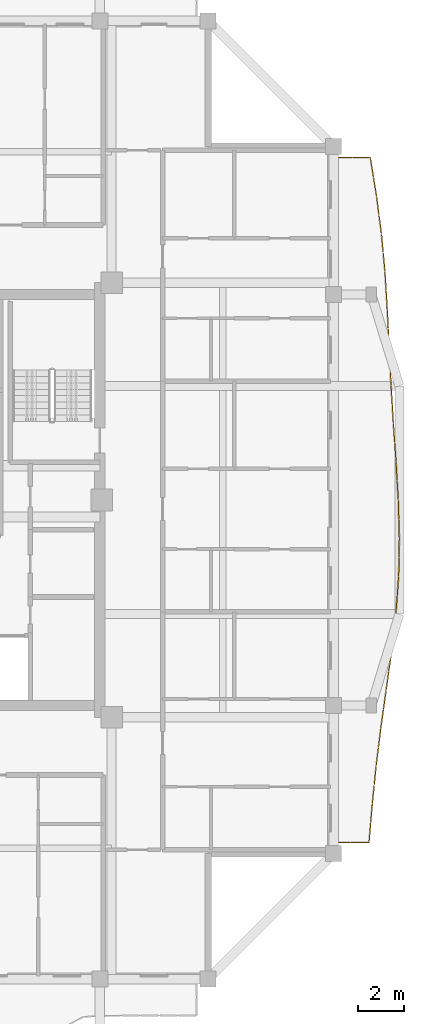
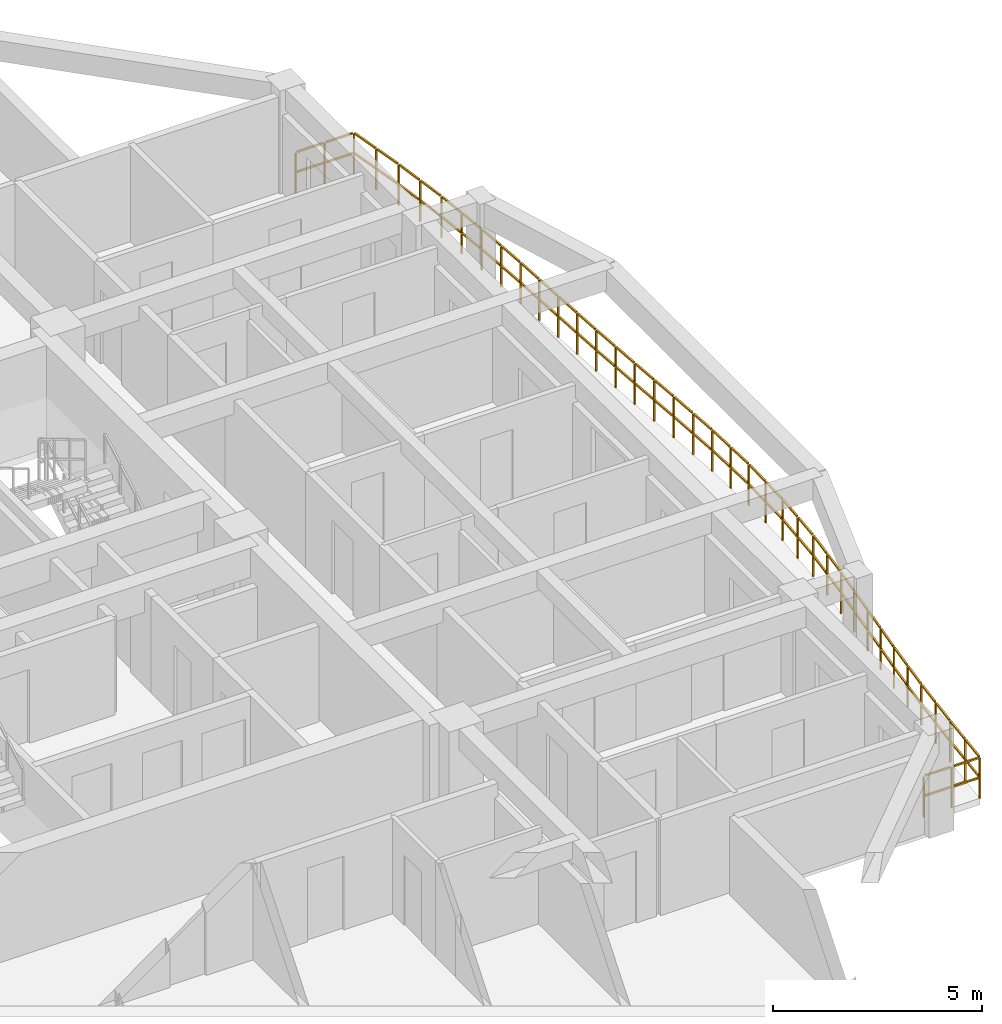
# One storey, part 13 of 14: 1 railing.
"""IFC4 building model written with IfcOpenShell, lengths in metres."""

from ifc_helpers import new_model, si_unit, direction, frame, origin, origin_2d, place, context, subcontext, project, spatial, rectangle, extrude, material, type_object, element, save


model = new_model("IFC4")

# Units and contexts
model_context = context("Model", 3, precision=1e-05, world=origin(), true_north=direction((0.0, 1.0)))
body_context = subcontext(model_context, "Body", "Model", "MODEL_VIEW")
ifc_project = project(units=[si_unit("LENGTHUNIT", "METRE"), si_unit("AREAUNIT", "SQUARE_METRE"), si_unit("VOLUMEUNIT", "CUBIC_METRE"), si_unit("PLANEANGLEUNIT", "RADIAN"), si_unit("MASSUNIT", "GRAM", prefix="KILO")], contexts=[model_context])

# Site, building, storey
site_placement = place(None, origin())
site = spatial("IfcSite", under=ifc_project, at=site_placement, CompositionType="ELEMENT")
building_placement = place(site_placement, origin())
building = spatial("IfcBuilding", under=site, at=building_placement, Name="Saelheon Loggia Tower", CompositionType="ELEMENT")
storey_placement = place(building_placement, frame((0.0, 0.0, 233.10009765625)))
storey = spatial("IfcBuildingStorey", under=building, at=storey_placement, Name="L72", CompositionType="ELEMENT", Elevation=233.10009765625)

# Railing
ifc_material = material(Name="Architectural Precast Concrete and Laminated Glass Guard", Category="concrete")
railing_type = type_object("IfcRailingType", Name="Guard_Loggia_RL_LOG", PredefinedType="BALUSTRADE", material=ifc_material)
railing_placement = place(storey_placement, frame((54.75, 12.0, 0.0)))
element("IfcRailing", 1, at=railing_placement, inside=storey, type_object=railing_type, Name="L72 East Loggia Balustrade", PredefinedType="BALUSTRADE", context=body_context, shape_type="SweptSolid", body=[
    extrude(rectangle(XDim=0.048095703125, YDim=0.048095703125, at=origin_2d()), frame((0.033203125, 0.0, 1.19580078125), z_axis=(1.0, 0.0, 0.0), x_axis=(0.0, 1.0, 0.0)), (0.0, 0.0, 1.0), 0.70849609375),
    extrude(rectangle(XDim=0.048095703125, YDim=0.048095703125, at=origin_2d()), frame((0.033203125, 0.0, 0.60986328125), z_axis=(1.0, 0.0, 0.0), x_axis=(0.0, 1.0, 0.0)), (0.0, 0.0, 1.0), 0.70849609375),
    extrude(rectangle(XDim=0.048095703125, YDim=0.048095703125, at=origin_2d()), frame((0.808349609375, 0.0, 1.19580078125), z_axis=(1.0, 0.0, 0.0), x_axis=(0.0, 1.0, 0.0)), (0.0, 0.0, 1.0), 0.70849609375),
    extrude(rectangle(XDim=0.048095703125, YDim=0.048095703125, at=origin_2d()), frame((0.808349609375, 0.0, 0.60986328125), z_axis=(1.0, 0.0, 0.0), x_axis=(0.0, 1.0, 0.0)), (0.0, 0.0, 1.0), 0.70849609375),
    extrude(rectangle(XDim=0.048095703125, YDim=0.048095703125, at=origin_2d()), frame((1.552978515625, 0.033203125, 1.19580078125), z_axis=(0.085086537051, 0.996373565091, 0.0), x_axis=(-0.996373565091, 0.085086537051, 0.0)), (0.0, 0.0, 1.0), 0.77001953125),
    extrude(rectangle(XDim=0.048095703125, YDim=0.048095703125, at=origin_2d()), frame((1.552978515625, 0.033203125, 0.60986328125), z_axis=(0.085086537051, 0.996373565091, 0.0), x_axis=(-0.996373565091, 0.085086537051, 0.0)), (0.0, 0.0, 1.0), 0.77001953125),
    extrude(rectangle(XDim=0.048095703125, YDim=0.048095703125, at=origin_2d()), frame((1.6240234375, 0.866455078125, 1.19580078125), z_axis=(0.085086537051, 0.996373565091, 0.0), x_axis=(-0.996373565091, 0.085086537051, 0.0)), (0.0, 0.0, 1.0), 0.77001953125),
    extrude(rectangle(XDim=0.048095703125, YDim=0.048095703125, at=origin_2d()), frame((1.6240234375, 0.866455078125, 0.60986328125), z_axis=(0.085086537051, 0.996373565091, 0.0), x_axis=(-0.996373565091, 0.085086537051, 0.0)), (0.0, 0.0, 1.0), 0.77001953125),
    extrude(rectangle(XDim=0.048095703125, YDim=0.048095703125, at=origin_2d()), frame((1.69580078125, 1.69970703125, 1.19580078125), z_axis=(0.100427291476, 0.994944400018, 0.0), x_axis=(-0.994944400018, 0.100427291476, 0.0)), (0.0, 0.0, 1.0), 0.77099609375),
    extrude(rectangle(XDim=0.048095703125, YDim=0.048095703125, at=origin_2d()), frame((1.69580078125, 1.69970703125, 0.60986328125), z_axis=(0.100427291476, 0.994944400018, 0.0), x_axis=(-0.994944400018, 0.100427291476, 0.0)), (0.0, 0.0, 1.0), 0.77099609375),
    extrude(rectangle(XDim=0.048095703125, YDim=0.048095703125, at=origin_2d()), frame((1.77978515625, 2.532958984375, 1.19580078125), z_axis=(0.100427291476, 0.994944400018, 0.0), x_axis=(-0.994944400018, 0.100427291476, 0.0)), (0.0, 0.0, 1.0), 0.77099609375),
    extrude(rectangle(XDim=0.048095703125, YDim=0.048095703125, at=origin_2d()), frame((1.77978515625, 2.532958984375, 0.60986328125), z_axis=(0.100427291476, 0.994944400018, 0.0), x_axis=(-0.994944400018, 0.100427291476, 0.0)), (0.0, 0.0, 1.0), 0.77099609375),
    extrude(rectangle(XDim=0.048095703125, YDim=0.048095703125, at=origin_2d()), frame((1.86474609375, 3.3662109375, 1.19580078125), z_axis=(0.122692739227, 0.992444704626, 0.0), x_axis=(-0.992444704626, 0.122692739227, 0.0)), (0.0, 0.0, 1.0), 0.773193359375),
    extrude(rectangle(XDim=0.048095703125, YDim=0.048095703125, at=origin_2d()), frame((1.86474609375, 3.3662109375, 0.60986328125), z_axis=(0.122692739227, 0.992444704626, 0.0), x_axis=(-0.992444704626, 0.122692739227, 0.0)), (0.0, 0.0, 1.0), 0.773193359375),
    extrude(rectangle(XDim=0.048095703125, YDim=0.048095703125, at=origin_2d()), frame((1.9677734375, 4.19970703125, 1.19580078125), z_axis=(0.122692739227, 0.992444704626, 0.0), x_axis=(-0.992444704626, 0.122692739227, 0.0)), (0.0, 0.0, 1.0), 0.773193359375),
    extrude(rectangle(XDim=0.048095703125, YDim=0.048095703125, at=origin_2d()), frame((1.9677734375, 4.19970703125, 0.60986328125), z_axis=(0.122692739227, 0.992444704626, 0.0), x_axis=(-0.992444704626, 0.122692739227, 0.0)), (0.0, 0.0, 1.0), 0.773193359375),
    extrude(rectangle(XDim=0.048095703125, YDim=0.048095703125, at=origin_2d()), frame((2.0712890625, 5.032958984375, 1.19580078125), z_axis=(0.138963671511, 0.990297479548, 0.0), x_axis=(-0.990297479548, 0.138963671511, 0.0)), (0.0, 0.0, 1.0), 0.775146484375),
    extrude(rectangle(XDim=0.048095703125, YDim=0.048095703125, at=origin_2d()), frame((2.0712890625, 5.032958984375, 0.60986328125), z_axis=(0.138963671511, 0.990297479548, 0.0), x_axis=(-0.990297479548, 0.138963671511, 0.0)), (0.0, 0.0, 1.0), 0.775146484375),
    extrude(rectangle(XDim=0.048095703125, YDim=0.048095703125, at=origin_2d()), frame((2.188232421875, 5.8662109375, 1.19580078125), z_axis=(0.138963671511, 0.990297479548, 0.0), x_axis=(-0.990297479548, 0.138963671511, 0.0)), (0.0, 0.0, 1.0), 0.775146484375),
    extrude(rectangle(XDim=0.048095703125, YDim=0.048095703125, at=origin_2d()), frame((2.188232421875, 5.8662109375, 0.60986328125), z_axis=(0.138963671511, 0.990297479548, 0.0), x_axis=(-0.990297479548, 0.138963671511, 0.0)), (0.0, 0.0, 1.0), 0.775146484375),
    extrude(rectangle(XDim=0.048095703125, YDim=0.048095703125, at=origin_2d()), frame((2.30517578125, 6.69970703125, 1.19580078125), z_axis=(0.13827215641, 0.99039427036, 0.0), x_axis=(-0.99039427036, 0.13827215641, 0.0)), (0.0, 0.0, 1.0), 0.77490234375),
    extrude(rectangle(XDim=0.048095703125, YDim=0.048095703125, at=origin_2d()), frame((2.30517578125, 6.69970703125, 0.60986328125), z_axis=(0.13827215641, 0.99039427036, 0.0), x_axis=(-0.99039427036, 0.13827215641, 0.0)), (0.0, 0.0, 1.0), 0.77490234375),
    extrude(rectangle(XDim=0.048095703125, YDim=0.048095703125, at=origin_2d()), frame((2.42138671875, 7.532958984375, 1.19580078125), z_axis=(0.13827215641, 0.99039427036, 0.0), x_axis=(-0.99039427036, 0.13827215641, 0.0)), (0.0, 0.0, 1.0), 0.77490234375),
    extrude(rectangle(XDim=0.048095703125, YDim=0.048095703125, at=origin_2d()), frame((2.42138671875, 7.532958984375, 0.60986328125), z_axis=(0.13827215641, 0.99039427036, 0.0), x_axis=(-0.99039427036, 0.13827215641, 0.0)), (0.0, 0.0, 1.0), 0.77490234375),
    extrude(rectangle(XDim=0.048095703125, YDim=0.048095703125, at=origin_2d()), frame((2.537109375, 8.3662109375, 1.19580078125), z_axis=(0.114662769249, 0.993404474194, 0.0), x_axis=(-0.993404474194, 0.114662769249, 0.0)), (0.0, 0.0, 1.0), 0.7724609375),
    extrude(rectangle(XDim=0.048095703125, YDim=0.048095703125, at=origin_2d()), frame((2.537109375, 8.3662109375, 0.60986328125), z_axis=(0.114662769249, 0.993404474194, 0.0), x_axis=(-0.993404474194, 0.114662769249, 0.0)), (0.0, 0.0, 1.0), 0.7724609375),
    extrude(rectangle(XDim=0.048095703125, YDim=0.048095703125, at=origin_2d()), frame((2.63330078125, 9.19970703125, 1.19580078125), z_axis=(0.114662769249, 0.993404474194, 0.0), x_axis=(-0.993404474194, 0.114662769249, 0.0)), (0.0, 0.0, 1.0), 0.7724609375),
    extrude(rectangle(XDim=0.048095703125, YDim=0.048095703125, at=origin_2d()), frame((2.63330078125, 9.19970703125, 0.60986328125), z_axis=(0.114662769249, 0.993404474194, 0.0), x_axis=(-0.993404474194, 0.114662769249, 0.0)), (0.0, 0.0, 1.0), 0.7724609375),
    extrude(rectangle(XDim=0.048095703125, YDim=0.048095703125, at=origin_2d()), frame((2.72802734375, 10.033203125, 1.19580078125), z_axis=(0.071153601195, 0.997465370345, 0.0), x_axis=(-0.997465370345, 0.071153601195, 0.0)), (0.0, 0.0, 1.0), 0.76904296875),
    extrude(rectangle(XDim=0.048095703125, YDim=0.048095703125, at=origin_2d()), frame((2.72802734375, 10.033203125, 0.60986328125), z_axis=(0.071153601195, 0.997465370345, 0.0), x_axis=(-0.997465370345, 0.071153601195, 0.0)), (0.0, 0.0, 1.0), 0.76904296875),
    extrude(rectangle(XDim=0.048095703125, YDim=0.048095703125, at=origin_2d()), frame((2.787353515625, 10.866455078125, 1.19580078125), z_axis=(0.071153601195, 0.997465370345, 0.0), x_axis=(-0.997465370345, 0.071153601195, 0.0)), (0.0, 0.0, 1.0), 0.76904296875),
    extrude(rectangle(XDim=0.048095703125, YDim=0.048095703125, at=origin_2d()), frame((2.787353515625, 10.866455078125, 0.60986328125), z_axis=(0.071153601195, 0.997465370345, 0.0), x_axis=(-0.997465370345, 0.071153601195, 0.0)), (0.0, 0.0, 1.0), 0.76904296875),
    extrude(rectangle(XDim=0.048095703125, YDim=0.048095703125, at=origin_2d()), frame((2.84521484375, 11.699951171875, 1.19580078125), z_axis=(0.018894956079, 0.999821474382, 0.0), x_axis=(-0.999821474382, 0.018894956079, 0.0)), (0.0, 0.0, 1.0), 0.766845703125),
    extrude(rectangle(XDim=0.048095703125, YDim=0.048095703125, at=origin_2d()), frame((2.84521484375, 11.699951171875, 0.60986328125), z_axis=(0.018894956079, 0.999821474382, 0.0), x_axis=(-0.999821474382, 0.018894956079, 0.0)), (0.0, 0.0, 1.0), 0.766845703125),
    extrude(rectangle(XDim=0.048095703125, YDim=0.048095703125, at=origin_2d()), frame((2.86083984375, 12.533203125, 1.19580078125), z_axis=(0.018894956079, 0.999821474382, 0.0), x_axis=(-0.999821474382, 0.018894956079, 0.0)), (0.0, 0.0, 1.0), 0.766845703125),
    extrude(rectangle(XDim=0.048095703125, YDim=0.048095703125, at=origin_2d()), frame((2.86083984375, 12.533203125, 0.60986328125), z_axis=(0.018894956079, 0.999821474382, 0.0), x_axis=(-0.999821474382, 0.018894956079, 0.0)), (0.0, 0.0, 1.0), 0.766845703125),
    extrude(rectangle(XDim=0.048095703125, YDim=0.048095703125, at=origin_2d()), frame((2.875, 13.366455078125, 1.19580078125), z_axis=(-0.028405114941, 0.999596493314, 0.0), x_axis=(-0.999596493314, -0.028405114941, 0.0)), (0.0, 0.0, 1.0), 0.767333984375),
    extrude(rectangle(XDim=0.048095703125, YDim=0.048095703125, at=origin_2d()), frame((2.875, 13.366455078125, 0.60986328125), z_axis=(-0.028405114941, 0.999596493314, 0.0), x_axis=(-0.999596493314, -0.028405114941, 0.0)), (0.0, 0.0, 1.0), 0.767333984375),
    extrude(rectangle(XDim=0.048095703125, YDim=0.048095703125, at=origin_2d()), frame((2.851318359375, 14.199951171875, 1.19580078125), z_axis=(-0.028405114941, 0.999596493314, 0.0), x_axis=(-0.999596493314, -0.028405114941, 0.0)), (0.0, 0.0, 1.0), 0.767333984375),
    extrude(rectangle(XDim=0.048095703125, YDim=0.048095703125, at=origin_2d()), frame((2.851318359375, 14.199951171875, 0.60986328125), z_axis=(-0.028405114941, 0.999596493314, 0.0), x_axis=(-0.999596493314, -0.028405114941, 0.0)), (0.0, 0.0, 1.0), 0.767333984375),
    extrude(rectangle(XDim=0.048095703125, YDim=0.048095703125, at=origin_2d()), frame((2.82666015625, 15.033203125, 1.19580078125), z_axis=(-0.058490579202, 0.998287960533, 0.0), x_axis=(-0.998287960533, -0.058490579202, 0.0)), (0.0, 0.0, 1.0), 0.768310546875),
    extrude(rectangle(XDim=0.048095703125, YDim=0.048095703125, at=origin_2d()), frame((2.82666015625, 15.033203125, 0.60986328125), z_axis=(-0.058490579202, 0.998287960533, 0.0), x_axis=(-0.998287960533, -0.058490579202, 0.0)), (0.0, 0.0, 1.0), 0.768310546875),
    extrude(rectangle(XDim=0.048095703125, YDim=0.048095703125, at=origin_2d()), frame((2.77783203125, 15.866455078125, 1.19580078125), z_axis=(-0.058490579202, 0.998287960533, 0.0), x_axis=(-0.998287960533, -0.058490579202, 0.0)), (0.0, 0.0, 1.0), 0.768310546875),
    extrude(rectangle(XDim=0.048095703125, YDim=0.048095703125, at=origin_2d()), frame((2.77783203125, 15.866455078125, 0.60986328125), z_axis=(-0.058490579202, 0.998287960533, 0.0), x_axis=(-0.998287960533, -0.058490579202, 0.0)), (0.0, 0.0, 1.0), 0.768310546875),
    extrude(rectangle(XDim=0.048095703125, YDim=0.048095703125, at=origin_2d()), frame((2.728759765625, 16.699951171875, 1.19580078125), z_axis=(-0.067818885019, 0.997697649007, 0.0), x_axis=(-0.997697649007, -0.067818885019, 0.0)), (0.0, 0.0, 1.0), 0.768798828125),
    extrude(rectangle(XDim=0.048095703125, YDim=0.048095703125, at=origin_2d()), frame((2.728759765625, 16.699951171875, 0.60986328125), z_axis=(-0.067818885019, 0.997697649007, 0.0), x_axis=(-0.997697649007, -0.067818885019, 0.0)), (0.0, 0.0, 1.0), 0.768798828125),
    extrude(rectangle(XDim=0.048095703125, YDim=0.048095703125, at=origin_2d()), frame((2.672119140625, 17.533203125, 1.19580078125), z_axis=(-0.067818885019, 0.997697649007, 0.0), x_axis=(-0.997697649007, -0.067818885019, 0.0)), (0.0, 0.0, 1.0), 0.768798828125),
    extrude(rectangle(XDim=0.048095703125, YDim=0.048095703125, at=origin_2d()), frame((2.672119140625, 17.533203125, 0.60986328125), z_axis=(-0.067818885019, 0.997697649007, 0.0), x_axis=(-0.997697649007, -0.067818885019, 0.0)), (0.0, 0.0, 1.0), 0.768798828125),
    extrude(rectangle(XDim=0.048095703125, YDim=0.048095703125, at=origin_2d()), frame((2.61572265625, 18.366455078125, 1.19580078125), z_axis=(-0.061549990452, 0.998104001933, 0.0), x_axis=(-0.998104001933, -0.061549990452, 0.0)), (0.0, 0.0, 1.0), 0.7685546875),
    extrude(rectangle(XDim=0.048095703125, YDim=0.048095703125, at=origin_2d()), frame((2.61572265625, 18.366455078125, 0.60986328125), z_axis=(-0.061549990452, 0.998104001933, 0.0), x_axis=(-0.998104001933, -0.061549990452, 0.0)), (0.0, 0.0, 1.0), 0.7685546875),
    extrude(rectangle(XDim=0.048095703125, YDim=0.048095703125, at=origin_2d()), frame((2.564208984375, 19.19970703125, 1.19580078125), z_axis=(-0.061549990452, 0.998104001933, 0.0), x_axis=(-0.998104001933, -0.061549990452, 0.0)), (0.0, 0.0, 1.0), 0.7685546875),
    extrude(rectangle(XDim=0.048095703125, YDim=0.048095703125, at=origin_2d()), frame((2.564208984375, 19.19970703125, 0.60986328125), z_axis=(-0.061549990452, 0.998104001933, 0.0), x_axis=(-0.998104001933, -0.061549990452, 0.0)), (0.0, 0.0, 1.0), 0.7685546875),
    extrude(rectangle(XDim=0.048095703125, YDim=0.048095703125, at=origin_2d()), frame((2.51318359375, 20.033203125, 1.19580078125), z_axis=(-0.050616155059, 0.998718180893, 0.0), x_axis=(-0.998718180893, -0.050616155059, 0.0)), (0.0, 0.0, 1.0), 0.76806640625),
    extrude(rectangle(XDim=0.048095703125, YDim=0.048095703125, at=origin_2d()), frame((2.51318359375, 20.033203125, 0.60986328125), z_axis=(-0.050616155059, 0.998718180893, 0.0), x_axis=(-0.998718180893, -0.050616155059, 0.0)), (0.0, 0.0, 1.0), 0.76806640625),
    extrude(rectangle(XDim=0.048095703125, YDim=0.048095703125, at=origin_2d()), frame((2.470947265625, 20.866455078125, 1.19580078125), z_axis=(-0.050616155059, 0.998718180893, 0.0), x_axis=(-0.998718180893, -0.050616155059, 0.0)), (0.0, 0.0, 1.0), 0.76806640625),
    extrude(rectangle(XDim=0.048095703125, YDim=0.048095703125, at=origin_2d()), frame((2.470947265625, 20.866455078125, 0.60986328125), z_axis=(-0.050616155059, 0.998718180893, 0.0), x_axis=(-0.998718180893, -0.050616155059, 0.0)), (0.0, 0.0, 1.0), 0.76806640625),
    extrude(rectangle(XDim=0.048095703125, YDim=0.048095703125, at=origin_2d()), frame((2.4287109375, 21.699951171875, 1.19580078125), z_axis=(-0.047996189008, 0.998847518814, 0.0), x_axis=(-0.998847518814, -0.047996189008, 0.0)), (0.0, 0.0, 1.0), 0.767822265625),
    extrude(rectangle(XDim=0.048095703125, YDim=0.048095703125, at=origin_2d()), frame((2.4287109375, 21.699951171875, 0.60986328125), z_axis=(-0.047996189008, 0.998847518814, 0.0), x_axis=(-0.998847518814, -0.047996189008, 0.0)), (0.0, 0.0, 1.0), 0.767822265625),
    extrude(rectangle(XDim=0.048095703125, YDim=0.048095703125, at=origin_2d()), frame((2.388671875, 22.533203125, 1.19580078125), z_axis=(-0.047996189008, 0.998847518814, 0.0), x_axis=(-0.998847518814, -0.047996189008, 0.0)), (0.0, 0.0, 1.0), 0.767822265625),
    extrude(rectangle(XDim=0.048095703125, YDim=0.048095703125, at=origin_2d()), frame((2.388671875, 22.533203125, 0.60986328125), z_axis=(-0.047996189008, 0.998847518814, 0.0), x_axis=(-0.998847518814, -0.047996189008, 0.0)), (0.0, 0.0, 1.0), 0.767822265625),
    extrude(rectangle(XDim=0.048095703125, YDim=0.048095703125, at=origin_2d()), frame((2.348388671875, 23.366455078125, 1.19580078125), z_axis=(-0.061841273856, 0.99808599672, 0.0), x_axis=(-0.99808599672, -0.061841273856, 0.0)), (0.0, 0.0, 1.0), 0.7685546875),
    extrude(rectangle(XDim=0.048095703125, YDim=0.048095703125, at=origin_2d()), frame((2.348388671875, 23.366455078125, 0.60986328125), z_axis=(-0.061841273856, 0.99808599672, 0.0), x_axis=(-0.99808599672, -0.061841273856, 0.0)), (0.0, 0.0, 1.0), 0.7685546875),
    extrude(rectangle(XDim=0.048095703125, YDim=0.048095703125, at=origin_2d()), frame((2.296630859375, 24.19970703125, 1.19580078125), z_axis=(-0.061841273856, 0.99808599672, 0.0), x_axis=(-0.99808599672, -0.061841273856, 0.0)), (0.0, 0.0, 1.0), 0.7685546875),
    extrude(rectangle(XDim=0.048095703125, YDim=0.048095703125, at=origin_2d()), frame((2.296630859375, 24.19970703125, 0.60986328125), z_axis=(-0.061841273856, 0.99808599672, 0.0), x_axis=(-0.99808599672, -0.061841273856, 0.0)), (0.0, 0.0, 1.0), 0.7685546875),
    extrude(rectangle(XDim=0.048095703125, YDim=0.048095703125, at=origin_2d()), frame((2.244140625, 25.033203125, 1.19580078125), z_axis=(-0.091745595338, 0.995782479127, 0.0), x_axis=(-0.995782479127, -0.091745595338, 0.0)), (0.0, 0.0, 1.0), 0.7705078125),
    extrude(rectangle(XDim=0.048095703125, YDim=0.048095703125, at=origin_2d()), frame((2.244140625, 25.033203125, 0.60986328125), z_axis=(-0.091745595338, 0.995782479127, 0.0), x_axis=(-0.995782479127, -0.091745595338, 0.0)), (0.0, 0.0, 1.0), 0.7705078125),
    extrude(rectangle(XDim=0.048095703125, YDim=0.048095703125, at=origin_2d()), frame((2.167236328125, 25.866455078125, 1.19580078125), z_axis=(-0.091745595338, 0.995782479127, 0.0), x_axis=(-0.995782479127, -0.091745595338, 0.0)), (0.0, 0.0, 1.0), 0.7705078125),
    extrude(rectangle(XDim=0.048095703125, YDim=0.048095703125, at=origin_2d()), frame((2.167236328125, 25.866455078125, 0.60986328125), z_axis=(-0.091745595338, 0.995782479127, 0.0), x_axis=(-0.995782479127, -0.091745595338, 0.0)), (0.0, 0.0, 1.0), 0.7705078125),
    extrude(rectangle(XDim=0.048095703125, YDim=0.048095703125, at=origin_2d()), frame((2.089111328125, 26.69970703125, 1.19580078125), z_axis=(-0.129003803074, 0.991644098854, 0.0), x_axis=(-0.991644098854, -0.129003803074, 0.0)), (0.0, 0.0, 1.0), 0.77392578125),
    extrude(rectangle(XDim=0.048095703125, YDim=0.048095703125, at=origin_2d()), frame((2.089111328125, 26.69970703125, 0.60986328125), z_axis=(-0.129003803074, 0.991644098854, 0.0), x_axis=(-0.991644098854, -0.129003803074, 0.0)), (0.0, 0.0, 1.0), 0.77392578125),
    extrude(rectangle(XDim=0.048095703125, YDim=0.048095703125, at=origin_2d()), frame((1.980712890625, 27.532958984375, 1.19580078125), z_axis=(-0.129003803074, 0.991644098854, 0.0), x_axis=(-0.991644098854, -0.129003803074, 0.0)), (0.0, 0.0, 1.0), 0.77392578125),
    extrude(rectangle(XDim=0.048095703125, YDim=0.048095703125, at=origin_2d()), frame((1.980712890625, 27.532958984375, 0.60986328125), z_axis=(-0.129003803074, 0.991644098854, 0.0), x_axis=(-0.991644098854, -0.129003803074, 0.0)), (0.0, 0.0, 1.0), 0.77392578125),
    extrude(rectangle(XDim=0.048095703125, YDim=0.048095703125, at=origin_2d()), frame((1.871337890625, 28.365966796875, 1.19580078125), z_axis=(-0.160482344979, 0.987038710968, 0.0), x_axis=(-0.987038710968, -0.160482344979, 0.0)), (0.0, 0.0, 1.0), 0.77783203125),
    extrude(rectangle(XDim=0.048095703125, YDim=0.048095703125, at=origin_2d()), frame((1.871337890625, 28.365966796875, 0.60986328125), z_axis=(-0.160482344979, 0.987038710968, 0.0), x_axis=(-0.987038710968, -0.160482344979, 0.0)), (0.0, 0.0, 1.0), 0.77783203125),
    extrude(rectangle(XDim=0.048095703125, YDim=0.048095703125, at=origin_2d()), frame((1.73583984375, 29.199462890625, 1.19580078125), z_axis=(-0.160482344979, 0.987038710968, 0.0), x_axis=(-0.987038710968, -0.160482344979, 0.0)), (0.0, 0.0, 1.0), 0.77783203125),
    extrude(rectangle(XDim=0.048095703125, YDim=0.048095703125, at=origin_2d()), frame((1.73583984375, 29.199462890625, 0.60986328125), z_axis=(-0.160482344979, 0.987038710968, 0.0), x_axis=(-0.987038710968, -0.160482344979, 0.0)), (0.0, 0.0, 1.0), 0.77783203125),
    extrude(rectangle(XDim=0.048095703125, YDim=0.048095703125, at=origin_2d()), frame((1.572509765625, 30.0, 1.19580078125), z_axis=(-1.0, 0.0, 0.0), x_axis=(0.0, -1.0, 0.0)), (0.0, 0.0, 1.0), 0.736328125),
    extrude(rectangle(XDim=0.048095703125, YDim=0.048095703125, at=origin_2d()), frame((1.572509765625, 30.0, 0.60986328125), z_axis=(-1.0, 0.0, 0.0), x_axis=(0.0, -1.0, 0.0)), (0.0, 0.0, 1.0), 0.736328125),
    extrude(rectangle(XDim=0.048095703125, YDim=0.048095703125, at=origin_2d()), frame((0.76953125, 30.0, 1.19580078125), z_axis=(-1.0, 0.0, 0.0), x_axis=(0.0, -1.0, 0.0)), (0.0, 0.0, 1.0), 0.736328125),
    extrude(rectangle(XDim=0.048095703125, YDim=0.048095703125, at=origin_2d()), frame((0.76953125, 30.0, 0.60986328125), z_axis=(-1.0, 0.0, 0.0), x_axis=(0.0, -1.0, 0.0)), (0.0, 0.0, 1.0), 0.736328125),
    extrude(rectangle(XDim=0.0419921875, YDim=0.0419921875, at=origin_2d()), origin(), (0.0, 0.0, 1.0), 1.16796875),
    extrude(rectangle(XDim=0.0419921875, YDim=0.0419921875, at=origin_2d()), frame((0.77490234375, 0.0, 0.0)), (0.0, 0.0, 1.0), 1.16796875),
    extrude(rectangle(XDim=0.0419921875, YDim=0.0419921875, at=origin_2d()), frame((1.550048828125, 0.0, 0.0)), (0.0, 0.0, 1.0), 1.16796875),
    extrude(rectangle(XDim=0.0419921875, YDim=0.0419921875, at=origin_2d()), frame((1.62109375, 0.83349609375, 0.0)), (0.0, 0.0, 1.0), 1.16796875),
    extrude(rectangle(XDim=0.0419921875, YDim=0.0419921875, at=origin_2d()), frame((1.6923828125, 1.666748046875, 0.0)), (0.0, 0.0, 1.0), 1.16796875),
    extrude(rectangle(XDim=0.0419921875, YDim=0.0419921875, at=origin_2d()), frame((1.7763671875, 2.5, 0.0)), (0.0, 0.0, 1.0), 1.16796875),
    extrude(rectangle(XDim=0.0419921875, YDim=0.0419921875, at=origin_2d()), frame((1.860595703125, 3.333251953125, 0.0)), (0.0, 0.0, 1.0), 1.16796875),
    extrude(rectangle(XDim=0.0419921875, YDim=0.0419921875, at=origin_2d()), frame((1.963623046875, 4.16650390625, 0.0)), (0.0, 0.0, 1.0), 1.16796875),
    extrude(rectangle(XDim=0.0419921875, YDim=0.0419921875, at=origin_2d()), frame((2.066650390625, 5.0, 0.0)), (0.0, 0.0, 1.0), 1.16796875),
    extrude(rectangle(XDim=0.0419921875, YDim=0.0419921875, at=origin_2d()), frame((2.18359375, 5.83349609375, 0.0)), (0.0, 0.0, 1.0), 1.16796875),
    extrude(rectangle(XDim=0.0419921875, YDim=0.0419921875, at=origin_2d()), frame((2.300537109375, 6.666748046875, 0.0)), (0.0, 0.0, 1.0), 1.16796875),
    extrude(rectangle(XDim=0.0419921875, YDim=0.0419921875, at=origin_2d()), frame((2.4169921875, 7.5, 0.0)), (0.0, 0.0, 1.0), 1.16796875),
    extrude(rectangle(XDim=0.0419921875, YDim=0.0419921875, at=origin_2d()), frame((2.533203125, 8.333251953125, 0.0)), (0.0, 0.0, 1.0), 1.16796875),
    extrude(rectangle(XDim=0.0419921875, YDim=0.0419921875, at=origin_2d()), frame((2.62939453125, 9.16650390625, 0.0)), (0.0, 0.0, 1.0), 1.16796875),
    extrude(rectangle(XDim=0.0419921875, YDim=0.0419921875, at=origin_2d()), frame((2.7255859375, 10.0, 0.0)), (0.0, 0.0, 1.0), 1.16796875),
    extrude(rectangle(XDim=0.0419921875, YDim=0.0419921875, at=origin_2d()), frame((2.78515625, 10.83349609375, 0.0)), (0.0, 0.0, 1.0), 1.16796875),
    extrude(rectangle(XDim=0.0419921875, YDim=0.0419921875, at=origin_2d()), frame((2.844482421875, 11.666748046875, 0.0)), (0.0, 0.0, 1.0), 1.16796875),
    extrude(rectangle(XDim=0.0419921875, YDim=0.0419921875, at=origin_2d()), frame((2.8603515625, 12.5, 0.0)), (0.0, 0.0, 1.0), 1.16796875),
    extrude(rectangle(XDim=0.0419921875, YDim=0.0419921875, at=origin_2d()), frame((2.8759765625, 13.333251953125, 0.0)), (0.0, 0.0, 1.0), 1.16796875),
    extrude(rectangle(XDim=0.0419921875, YDim=0.0419921875, at=origin_2d()), frame((2.852294921875, 14.16650390625, 0.0)), (0.0, 0.0, 1.0), 1.16796875),
    extrude(rectangle(XDim=0.0419921875, YDim=0.0419921875, at=origin_2d()), frame((2.82861328125, 15.0, 0.0)), (0.0, 0.0, 1.0), 1.16796875),
    extrude(rectangle(XDim=0.0419921875, YDim=0.0419921875, at=origin_2d()), frame((2.77978515625, 15.83349609375, 0.0)), (0.0, 0.0, 1.0), 1.16796875),
    extrude(rectangle(XDim=0.0419921875, YDim=0.0419921875, at=origin_2d()), frame((2.73095703125, 16.666748046875, 0.0)), (0.0, 0.0, 1.0), 1.16796875),
    extrude(rectangle(XDim=0.0419921875, YDim=0.0419921875, at=origin_2d()), frame((2.67431640625, 17.5, 0.0)), (0.0, 0.0, 1.0), 1.16796875),
    extrude(rectangle(XDim=0.0419921875, YDim=0.0419921875, at=origin_2d()), frame((2.61767578125, 18.333251953125, 0.0)), (0.0, 0.0, 1.0), 1.16796875),
    extrude(rectangle(XDim=0.0419921875, YDim=0.0419921875, at=origin_2d()), frame((2.56640625, 19.16650390625, 0.0)), (0.0, 0.0, 1.0), 1.16796875),
    extrude(rectangle(XDim=0.0419921875, YDim=0.0419921875, at=origin_2d()), frame((2.514892578125, 20.0, 0.0)), (0.0, 0.0, 1.0), 1.16796875),
    extrude(rectangle(XDim=0.0419921875, YDim=0.0419921875, at=origin_2d()), frame((2.47265625, 20.83349609375, 0.0)), (0.0, 0.0, 1.0), 1.16796875),
    extrude(rectangle(XDim=0.0419921875, YDim=0.0419921875, at=origin_2d()), frame((2.430419921875, 21.666748046875, 0.0)), (0.0, 0.0, 1.0), 1.16796875),
    extrude(rectangle(XDim=0.0419921875, YDim=0.0419921875, at=origin_2d()), frame((2.390380859375, 22.5, 0.0)), (0.0, 0.0, 1.0), 1.16796875),
    extrude(rectangle(XDim=0.0419921875, YDim=0.0419921875, at=origin_2d()), frame((2.350341796875, 23.333251953125, 0.0)), (0.0, 0.0, 1.0), 1.16796875),
    extrude(rectangle(XDim=0.0419921875, YDim=0.0419921875, at=origin_2d()), frame((2.298828125, 24.16650390625, 0.0)), (0.0, 0.0, 1.0), 1.16796875),
    extrude(rectangle(XDim=0.0419921875, YDim=0.0419921875, at=origin_2d()), frame((2.2470703125, 25.0, 0.0)), (0.0, 0.0, 1.0), 1.16796875),
    extrude(rectangle(XDim=0.0419921875, YDim=0.0419921875, at=origin_2d()), frame((2.17041015625, 25.83349609375, 0.0)), (0.0, 0.0, 1.0), 1.16796875),
    extrude(rectangle(XDim=0.0419921875, YDim=0.0419921875, at=origin_2d()), frame((2.093505859375, 26.666748046875, 0.0)), (0.0, 0.0, 1.0), 1.16796875),
    extrude(rectangle(XDim=0.0419921875, YDim=0.0419921875, at=origin_2d()), frame((1.985107421875, 27.5, 0.0)), (0.0, 0.0, 1.0), 1.16796875),
    extrude(rectangle(XDim=0.0419921875, YDim=0.0419921875, at=origin_2d()), frame((1.876708984375, 28.333251953125, 0.0)), (0.0, 0.0, 1.0), 1.16796875),
    extrude(rectangle(XDim=0.0419921875, YDim=0.0419921875, at=origin_2d()), frame((1.7412109375, 29.16650390625, 0.0)), (0.0, 0.0, 1.0), 1.16796875),
    extrude(rectangle(XDim=0.0419921875, YDim=0.0419921875, at=origin_2d()), frame((1.605712890625, 30.0, 0.0)), (0.0, 0.0, 1.0), 1.16796875),
    extrude(rectangle(XDim=0.0419921875, YDim=0.0419921875, at=origin_2d()), frame((0.802734375, 30.0, 0.0)), (0.0, 0.0, 1.0), 1.16796875),
    extrude(rectangle(XDim=0.0419921875, YDim=0.0419921875, at=origin_2d()), frame((0.0, 30.0, 0.0)), (0.0, 0.0, 1.0), 1.16796875),
])

save(model, "model.ifc")
